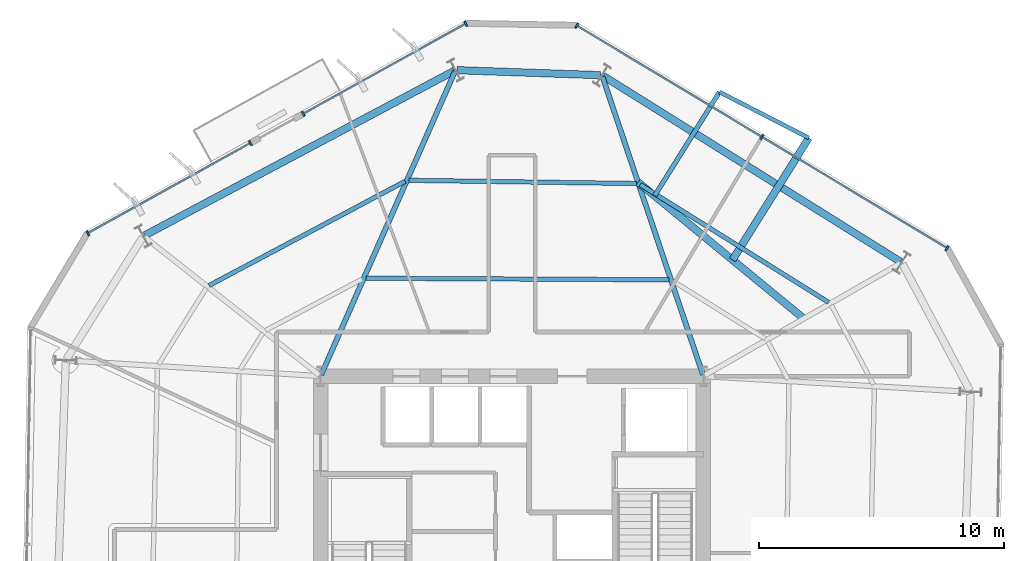
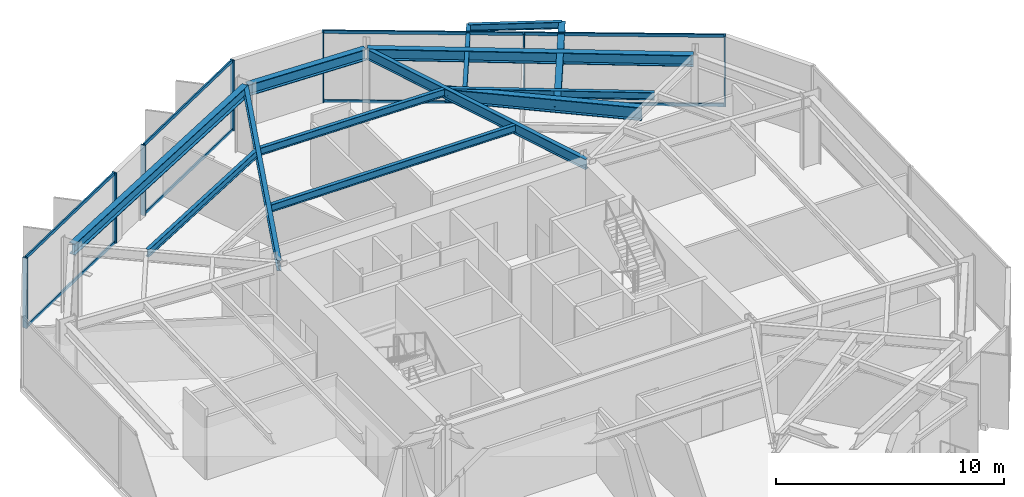
# One storey, part 5 of 11: 15 members, 13 beams, 3 elements without a shape of their own.
"""IFC4 building model written with IfcOpenShell, lengths in metres."""

from ifc_helpers import new_model, si_unit, direction, frame, origin, origin_2d, place, context, subcontext, project, spatial, rectangle, i_section, extrude, material, layer, layer_set, material_profile, profile_set, type_object, element, aggregate, save


model = new_model("IFC4")

# Units and contexts
model_context = context("Model", 3, precision=1e-05, world=origin(), true_north=direction((0.0, 1.0)))
body_context = subcontext(model_context, "Body", "Model", "MODEL_VIEW")
ifc_project = project(units=[si_unit("LENGTHUNIT", "METRE"), si_unit("AREAUNIT", "SQUARE_METRE"), si_unit("VOLUMEUNIT", "CUBIC_METRE"), si_unit("PLANEANGLEUNIT", "RADIAN"), si_unit("MASSUNIT", "GRAM", prefix="KILO")], contexts=[model_context])

# Site, building, storey
site_placement = place(None, origin())
site = spatial("IfcSite", under=ifc_project, at=site_placement, CompositionType="ELEMENT")
building_placement = place(site_placement, origin())
building = spatial("IfcBuilding", under=site, at=building_placement, Name="Kranzbogen Civic Tower", CompositionType="ELEMENT")
storey_placement = place(building_placement, frame((0.0, 0.0, 138.39990234375)))
storey = spatial("IfcBuildingStorey", under=building, at=storey_placement, Name="L33", CompositionType="ELEMENT", Elevation=138.39990234375)

# Beam
ifc_material_1 = material(Name="Steel S355", Category="steel")
ifc_material_profile_1 = material_profile(ifc_material_1, i_section(OverallWidth=0.18994140625, OverallDepth=0.449951171875, WebThickness=0.009521484375, FlangeThickness=0.0146484375, at=origin_2d()), Name="IPE 450")
ifc_profile_set_1 = profile_set([ifc_material_profile_1], Name="Steel S355")
beam_type_1 = type_object("IfcBeamType", Name="Braced Terrace Edge Beam IPE 450", PredefinedType="BEAM", material=ifc_profile_set_1)
beam_1_placement = place(storey_placement, frame((30.81201171875, 39.549072265625, 3.525146484375), z_axis=(0.529902142132, 0.848058794992, 0.0), x_axis=(-0.848058794992, 0.529902142132, 0.0)))
element("IfcBeam", 1, at=beam_1_placement, inside=storey, type_object=beam_type_1, Name="L34 back-spanned terrace beam L34-TB2-2", PredefinedType="BEAM", context=body_context, shape_type="SweptSolid", body=[
    extrude(i_section(OverallWidth=0.18994140625, OverallDepth=0.449951171875, WebThickness=0.009521484375, FlangeThickness=0.0146484375, at=origin_2d()), origin(), (0.0, 0.0, 1.0), 4.98779296875),
])

# Curtain wall, members
ifc_material_2 = material(Name="Pale Anodised Aluminium", Category="aluminium")
ifc_layer = layer(ifc_material_2, 0.219970703125, Name="Pale Anodised Aluminium")
ifc_layer_set = layer_set([ifc_layer], Name="Pale Anodised Aluminium")
curtain_wall_type = type_object("IfcCurtainWallType", Name="Zone 2 Stick Curtain Wall System CW-03", PredefinedType="USERDEFINED", material=ifc_layer_set)
curtain_wall_1_placement = place(storey_placement, origin())
curtain_wall_1 = element("IfcCurtainWall", 2, at=curtain_wall_1_placement, inside=storey, type_object=curtain_wall_type, Name="L33 curtain wall CW-L33-F1", ObjectType="STICK CURTAIN WALL", PredefinedType="USERDEFINED")
ifc_material_profile_2 = material_profile(ifc_material_2, rectangle(XDim=0.074951171875, YDim=0.219970703125, at=origin_2d()), Name="ALU-M 75x220")
ifc_profile_set_2 = profile_set([ifc_material_profile_2], Name="Pale Anodised Aluminium")
member_type_1 = type_object("IfcMemberType", Name="Curtain Wall Mullion ALU-M 75x220", PredefinedType="MULLION", material=ifc_profile_set_2)
member_1_placement = place(storey_placement, frame((42.729248046875, 37.413330078125, 0.0), z_axis=(0.0, 0.0, 1.0), x_axis=(-0.857153137828, 0.515061645156, 0.0)))
member_1 = element("IfcMember", 3, at=member_1_placement, type_object=member_type_1, Name="CW-03 mullion 1", PredefinedType="MULLION", context=body_context, shape_type="SweptSolid", body=[
    extrude(rectangle(XDim=0.074951171875, YDim=0.219970703125, at=origin_2d()), origin(), (0.0, 0.0, 1.0), 3.760009765625),
])
member_2_placement = place(storey_placement, frame((35.18310546875, 41.947998046875, 0.0), z_axis=(0.0, 0.0, 1.0), x_axis=(-0.857153137828, 0.515061645156, 0.0)))
member_2 = element("IfcMember", 4, at=member_2_placement, type_object=member_type_1, Name="CW-03 mullion 2", PredefinedType="MULLION", context=body_context, shape_type="SweptSolid", body=[
    extrude(rectangle(XDim=0.074951171875, YDim=0.219970703125, at=origin_2d()), origin(), (0.0, 0.0, 1.0), 3.760009765625),
])
member_3_placement = place(storey_placement, frame((27.63671875, 46.482666015625, 0.0), z_axis=(0.0, 0.0, 1.0), x_axis=(-0.857153137828, 0.515061645156, 0.0)))
member_3 = element("IfcMember", 5, at=member_3_placement, type_object=member_type_1, Name="CW-03 mullion 3", PredefinedType="MULLION", context=body_context, shape_type="SweptSolid", body=[
    extrude(rectangle(XDim=0.074951171875, YDim=0.219970703125, at=origin_2d()), origin(), (0.0, 0.0, 1.0), 3.760009765625),
])

curtain_wall_2_placement = place(storey_placement, origin())
curtain_wall_2 = element("IfcCurtainWall", 6, at=curtain_wall_2_placement, inside=storey, type_object=curtain_wall_type, Name="L33 curtain wall CW-L33-F2-S1", ObjectType="STICK CURTAIN WALL", PredefinedType="USERDEFINED")
member_4_placement = place(storey_placement, frame((23.11474609375, 46.5615234375, 0.0), z_axis=(0.0, 0.0, 1.0), x_axis=(-0.874626457599, -0.484797441894, 0.0)))
member_4 = element("IfcMember", 7, at=member_4_placement, type_object=member_type_1, Name="CW-03 mullion 1", PredefinedType="MULLION", context=body_context, shape_type="SweptSolid", body=[
    extrude(rectangle(XDim=0.074951171875, YDim=0.219970703125, at=origin_2d()), origin(), (0.0, 0.0, 1.0), 3.760009765625),
])
member_5_placement = place(storey_placement, frame((16.490234375, 42.8896484375, 0.0), z_axis=(0.0, 0.0, 1.0), x_axis=(-0.874626457599, -0.484797441894, 0.0)))
member_5 = element("IfcMember", 8, at=member_5_placement, type_object=member_type_1, Name="CW-03 mullion 2", PredefinedType="MULLION", context=body_context, shape_type="SweptSolid", body=[
    extrude(rectangle(XDim=0.074951171875, YDim=0.219970703125, at=origin_2d()), origin(), (0.0, 0.0, 1.0), 3.760009765625),
])

curtain_wall_3_placement = place(storey_placement, origin())
curtain_wall_3 = element("IfcCurtainWall", 9, at=curtain_wall_3_placement, inside=storey, type_object=curtain_wall_type, Name="L33 curtain wall CW-L33-F2-S2", ObjectType="STICK CURTAIN WALL", PredefinedType="USERDEFINED")
member_6_placement = place(storey_placement, frame((14.3388671875, 41.696533203125, 0.0), z_axis=(0.0, 0.0, 1.0), x_axis=(-0.874626457599, -0.484797441894, 0.0)))
member_6 = element("IfcMember", 10, at=member_6_placement, type_object=member_type_1, Name="CW-03 mullion 1", PredefinedType="MULLION", context=body_context, shape_type="SweptSolid", body=[
    extrude(rectangle(XDim=0.074951171875, YDim=0.219970703125, at=origin_2d()), origin(), (0.0, 0.0, 1.0), 3.760009765625),
])
member_7_placement = place(storey_placement, frame((7.71435546875, 38.024658203125, 0.0), z_axis=(0.0, 0.0, 1.0), x_axis=(-0.874626457599, -0.484797441894, 0.0)))
member_7 = element("IfcMember", 11, at=member_7_placement, type_object=member_type_1, Name="CW-03 mullion 2", PredefinedType="MULLION", context=body_context, shape_type="SweptSolid", body=[
    extrude(rectangle(XDim=0.074951171875, YDim=0.219970703125, at=origin_2d()), origin(), (0.0, 0.0, 1.0), 3.760009765625),
])

# Member
ifc_material_profile_3 = material_profile(ifc_material_2, rectangle(XDim=0.074951171875, YDim=0.1650390625, at=origin_2d()), Name="ALU-T 75x165")
ifc_profile_set_3 = profile_set([ifc_material_profile_3], Name="Pale Anodised Aluminium")
member_type_2 = type_object("IfcMemberType", Name="Curtain Wall Transom ALU-T 75x165", PredefinedType="USERDEFINED", material=ifc_profile_set_3)
member_8_placement = place(storey_placement, frame((42.70361328125, 37.428955078125, 0.030029296875), z_axis=(-0.857152756888, 0.515062279107, 0.0), x_axis=(-0.515062279107, -0.857152756888, 0.0)))
member_8 = element("IfcMember", 12, at=member_8_placement, type_object=member_type_2, Name="CW-03 transom 1.1", ObjectType="TRANSOM", PredefinedType="USERDEFINED", context=body_context, shape_type="SweptSolid", body=[
    extrude(rectangle(XDim=0.074951171875, YDim=0.1650390625, at=origin_2d()), origin(), (0.0, 0.0, 1.0), 8.743896484375),
])

member_9_placement = place(storey_placement, frame((42.70361328125, 37.428955078125, 3.72998046875), z_axis=(-0.857152756888, 0.515062279107, 0.0), x_axis=(-0.515062279107, -0.857152756888, 0.0)))
member_9 = element("IfcMember", 13, at=member_9_placement, type_object=member_type_2, Name="CW-03 transom 1.2", ObjectType="TRANSOM", PredefinedType="USERDEFINED", context=body_context, shape_type="SweptSolid", body=[
    extrude(rectangle(XDim=0.074951171875, YDim=0.1650390625, at=origin_2d()), origin(), (0.0, 0.0, 1.0), 8.743896484375),
])

member_10_placement = place(storey_placement, frame((35.1572265625, 41.96337890625, 0.030029296875), z_axis=(-0.857152756888, 0.515062279107, 0.0), x_axis=(-0.515062279107, -0.857152756888, 0.0)))
member_10 = element("IfcMember", 14, at=member_10_placement, type_object=member_type_2, Name="CW-03 transom 2.1", ObjectType="TRANSOM", PredefinedType="USERDEFINED", context=body_context, shape_type="SweptSolid", body=[
    extrude(rectangle(XDim=0.074951171875, YDim=0.1650390625, at=origin_2d()), origin(), (0.0, 0.0, 1.0), 8.743896484375),
])

member_11_placement = place(storey_placement, frame((35.1572265625, 41.96337890625, 3.72998046875), z_axis=(-0.857152756888, 0.515062279107, 0.0), x_axis=(-0.515062279107, -0.857152756888, 0.0)))
member_11 = element("IfcMember", 15, at=member_11_placement, type_object=member_type_2, Name="CW-03 transom 2.2", ObjectType="TRANSOM", PredefinedType="USERDEFINED", context=body_context, shape_type="SweptSolid", body=[
    extrude(rectangle(XDim=0.074951171875, YDim=0.1650390625, at=origin_2d()), origin(), (0.0, 0.0, 1.0), 8.743896484375),
])

aggregate(curtain_wall_1, [member_1, member_2, member_3, member_8, member_9, member_10, member_11])

member_12_placement = place(storey_placement, frame((23.088623046875, 46.546875, 0.030029296875), z_axis=(-0.874633478756, -0.484784774759, 0.0), x_axis=(0.484784774759, -0.874633478756, 0.0)))
member_12 = element("IfcMember", 16, at=member_12_placement, type_object=member_type_2, Name="CW-03 transom 1.1", ObjectType="TRANSOM", PredefinedType="USERDEFINED", context=body_context, shape_type="SweptSolid", body=[
    extrude(rectangle(XDim=0.074951171875, YDim=0.1650390625, at=origin_2d()), origin(), (0.0, 0.0, 1.0), 7.514404296875),
])

member_13_placement = place(storey_placement, frame((23.088623046875, 46.546875, 3.72998046875), z_axis=(-0.874633478756, -0.484784774759, 0.0), x_axis=(0.484784774759, -0.874633478756, 0.0)))
member_13 = element("IfcMember", 17, at=member_13_placement, type_object=member_type_2, Name="CW-03 transom 1.2", ObjectType="TRANSOM", PredefinedType="USERDEFINED", context=body_context, shape_type="SweptSolid", body=[
    extrude(rectangle(XDim=0.074951171875, YDim=0.1650390625, at=origin_2d()), origin(), (0.0, 0.0, 1.0), 7.514404296875),
])

aggregate(curtain_wall_2, [member_4, member_5, member_12, member_13])

member_14_placement = place(storey_placement, frame((14.3125, 41.681884765625, 0.030029296875), z_axis=(-0.874625842729, -0.484798551185, 0.0), x_axis=(0.484798551185, -0.874625842729, 0.0)))
member_14 = element("IfcMember", 18, at=member_14_placement, type_object=member_type_2, Name="CW-03 transom 1.1", ObjectType="TRANSOM", PredefinedType="USERDEFINED", context=body_context, shape_type="SweptSolid", body=[
    extrude(rectangle(XDim=0.074951171875, YDim=0.1650390625, at=origin_2d()), origin(), (0.0, 0.0, 1.0), 7.51416015625),
])

member_15_placement = place(storey_placement, frame((14.3125, 41.681884765625, 3.72998046875), z_axis=(-0.874625842729, -0.484798551185, 0.0), x_axis=(0.484798551185, -0.874625842729, 0.0)))
member_15 = element("IfcMember", 19, at=member_15_placement, type_object=member_type_2, Name="CW-03 transom 1.2", ObjectType="TRANSOM", PredefinedType="USERDEFINED", context=body_context, shape_type="SweptSolid", body=[
    extrude(rectangle(XDim=0.074951171875, YDim=0.1650390625, at=origin_2d()), origin(), (0.0, 0.0, 1.0), 7.51416015625),
])

aggregate(curtain_wall_3, [member_6, member_7, member_14, member_15])

# Beams
ifc_material_profile_4 = material_profile(ifc_material_1, i_section(OverallWidth=0.300048828125, OverallDepth=0.5, WebThickness=0.014404296875, FlangeThickness=0.028076171875, at=origin_2d()), Name="HEB 500")
ifc_profile_set_4 = profile_set([ifc_material_profile_4], Name="Steel S355")
beam_type_2 = type_object("IfcBeamType", Name="Perimeter Tube Spandrel Beam HEB 500", PredefinedType="SPANDREL", material=ifc_profile_set_4)
beam_2_placement = place(storey_placement, frame((33.988037109375, 36.93603515625, 3.5), z_axis=(0.529980228691, 0.848009998288, 0.0), x_axis=(-0.848009998288, 0.529980228691, 0.0)))
element("IfcBeam", 20, at=beam_2_placement, inside=storey, type_object=beam_type_2, Name="L34 back-spanned terrace beam L34-TB2-1", PredefinedType="SPANDREL", context=body_context, shape_type="SweptSolid", body=[
    extrude(i_section(OverallWidth=0.300048828125, OverallDepth=0.5, WebThickness=0.014404296875, FlangeThickness=0.028076171875, at=origin_2d()), origin(), (0.0, 0.0, 1.0), 5.8642578125),
])
ifc_material_profile_5 = material_profile(ifc_material_1, i_section(OverallWidth=0.300048828125, OverallDepth=0.60009765625, WebThickness=0.015380859375, FlangeThickness=0.030029296875, at=origin_2d()), Name="HEB 600")
ifc_profile_set_5 = profile_set([ifc_material_profile_5], Name="Steel S355")
beam_type_3 = type_object("IfcBeamType", Name="Perimeter Tube Spandrel Beam HEB 600", PredefinedType="SPANDREL", material=ifc_profile_set_5)
beam_3_placement = place(storey_placement, frame((40.8349609375, 36.861083984375, 3.460205078125), z_axis=(-0.848051101349, 0.52991445489, 0.0), x_axis=(-0.52991445489, -0.848051101349, 0.0)))
element("IfcBeam", 21, at=beam_3_placement, inside=storey, type_object=beam_type_3, Name="L33 perimeter spandrel beam 08", PredefinedType="SPANDREL", context=body_context, shape_type="SweptSolid", body=[
    extrude(i_section(OverallWidth=0.300048828125, OverallDepth=0.60009765625, WebThickness=0.015380859375, FlangeThickness=0.030029296875, at=origin_2d()), origin(), (0.0, 0.0, 1.0), 14.286865234375),
])
beam_4_placement = place(storey_placement, frame((28.60791015625, 44.466064453125, 3.460205078125), z_axis=(-0.999393148233, 0.03483296234, 0.0), x_axis=(-0.03483296234, -0.999393148233, 0.0)))
element("IfcBeam", 22, at=beam_4_placement, inside=storey, type_object=beam_type_3, Name="L33 perimeter spandrel beam 09", PredefinedType="SPANDREL", context=body_context, shape_type="SweptSolid", body=[
    extrude(i_section(OverallWidth=0.300048828125, OverallDepth=0.60009765625, WebThickness=0.015380859375, FlangeThickness=0.030029296875, at=origin_2d()), origin(), (0.0, 0.0, 1.0), 5.8525390625),
])
beam_5_placement = place(storey_placement, frame((22.64599609375, 44.64404296875, 3.460205078125), z_axis=(-0.882948194046, -0.469470432116, 0.0), x_axis=(0.469470432116, -0.882948194046, 0.0)))
element("IfcBeam", 23, at=beam_5_placement, inside=storey, type_object=beam_type_3, Name="L33 perimeter spandrel beam 10", PredefinedType="SPANDREL", context=body_context, shape_type="SweptSolid", body=[
    extrude(i_section(OverallWidth=0.300048828125, OverallDepth=0.60009765625, WebThickness=0.015380859375, FlangeThickness=0.030029296875, at=origin_2d()), origin(), (0.0, 0.0, 1.0), 14.28857421875),
])
ifc_material_profile_6 = material_profile(ifc_material_1, i_section(OverallWidth=0.300048828125, OverallDepth=0.699951171875, WebThickness=0.01708984375, FlangeThickness=0.031982421875, at=origin_2d()), Name="HEB 700")
ifc_profile_set_6 = profile_set([ifc_material_profile_6], Name="Steel S355")
beam_type_4 = type_object("IfcBeamType", Name="Perimeter Tube Spandrel Beam HEB 700", PredefinedType="SPANDREL", material=ifc_profile_set_6)
beam_6_placement = place(storey_placement, frame((36.89404296875, 34.5439453125, 3.400146484375), z_axis=(-0.772133132713, 0.635460797663, 0.0), x_axis=(-0.635460797663, -0.772133132713, 0.0)))
element("IfcBeam", 24, at=beam_6_placement, inside=storey, type_object=beam_type_4, Name="L34 balcony back-span header girder L34-TB2", PredefinedType="SPANDREL", context=body_context, shape_type="SweptSolid", body=[
    extrude(i_section(OverallWidth=0.300048828125, OverallDepth=0.699951171875, WebThickness=0.01708984375, FlangeThickness=0.031982421875, at=origin_2d()), origin(), (0.0, 0.0, 1.0), 8.751220703125),
])
ifc_material_profile_7 = material_profile(ifc_material_1, i_section(OverallWidth=0.2099609375, OverallDepth=0.550048828125, WebThickness=0.010986328125, FlangeThickness=0.01708984375, at=origin_2d()), Name="IPE 550")
ifc_profile_set_7 = profile_set([ifc_material_profile_7], Name="Steel S355")
beam_type_5 = type_object("IfcBeamType", Name="Radial Tower Floor Girder IPE 550", PredefinedType="BEAM", material=ifc_profile_set_7)
beam_7_placement = place(storey_placement, frame((28.68701171875, 44.406982421875, 3.485107421875), z_axis=(0.319316617377, -0.947648087566, 0.0), x_axis=(0.947648087566, 0.319316617377, 0.0)))
element("IfcBeam", 25, at=beam_7_placement, inside=storey, type_object=beam_type_5, Name="L33 radial floor girder 09", PredefinedType="BEAM", context=body_context, shape_type="SweptSolid", body=[
    extrude(i_section(OverallWidth=0.2099609375, OverallDepth=0.550048828125, WebThickness=0.010986328125, FlangeThickness=0.01708984375, at=origin_2d()), origin(), (0.0, 0.0, 1.0), 12.821044921875),
])
beam_8_placement = place(storey_placement, frame((22.675048828125, 44.616943359375, 3.485107421875), z_axis=(-0.403459127705, -0.914997667905, 0.0), x_axis=(0.914997667905, -0.403459127705, 0.0)))
element("IfcBeam", 26, at=beam_8_placement, inside=storey, type_object=beam_type_5, Name="L33 radial floor girder 10", PredefinedType="BEAM", context=body_context, shape_type="SweptSolid", body=[
    extrude(i_section(OverallWidth=0.2099609375, OverallDepth=0.550048828125, WebThickness=0.010986328125, FlangeThickness=0.01708984375, at=origin_2d()), origin(), (0.0, 0.0, 1.0), 13.510498046875),
])
ifc_material_profile_8 = material_profile(ifc_material_1, i_section(OverallWidth=0.169921875, OverallDepth=0.360107421875, WebThickness=0.008056640625, FlangeThickness=0.0126953125, at=origin_2d()), Name="IPE 360")
ifc_profile_set_8 = profile_set([ifc_material_profile_8], Name="Steel S355")
beam_type_6 = type_object("IfcBeamType", Name="Secondary Composite Floor Joist IPE 360", PredefinedType="JOIST", material=ifc_profile_set_8)
beam_9_placement = place(storey_placement, frame((37.095947265625, 41.908935546875, 3.570068359375), z_axis=(-0.889519192048, 0.456897808026, 0.0), x_axis=(-0.456897808026, -0.889519192048, 0.0)))
element("IfcBeam", 27, at=beam_9_placement, inside=storey, type_object=beam_type_6, Name="L34 terrace outer edge trimmer L34-TB2", PredefinedType="JOIST", context=body_context, shape_type="SweptSolid", body=[
    extrude(i_section(OverallWidth=0.169921875, OverallDepth=0.360107421875, WebThickness=0.008056640625, FlangeThickness=0.0126953125, at=origin_2d()), origin(), (0.0, 0.0, 1.0), 4.093017578125),
])
ifc_material_profile_9 = material_profile(ifc_material_1, i_section(OverallWidth=0.179931640625, OverallDepth=0.39990234375, WebThickness=0.008544921875, FlangeThickness=0.013427734375, at=origin_2d()), Name="IPE 400")
ifc_profile_set_9 = profile_set([ifc_material_profile_9], Name="Steel S355")
beam_type_7 = type_object("IfcBeamType", Name="Secondary Composite Floor Joist IPE 400", PredefinedType="JOIST", material=ifc_profile_set_9)
beam_10_placement = place(storey_placement, frame((37.906982421875, 35.205078125, 3.56005859375), z_axis=(-0.848025549308, 0.529955345026, 0.0), x_axis=(-0.529955345026, -0.848025549308, 0.0)))
element("IfcBeam", 28, at=beam_10_placement, inside=storey, type_object=beam_type_7, Name="L33 secondary floor joist 1.08", PredefinedType="JOIST", context=body_context, shape_type="SweptSolid", body=[
    extrude(i_section(OverallWidth=0.179931640625, OverallDepth=0.39990234375, WebThickness=0.008544921875, FlangeThickness=0.013427734375, at=origin_2d()), origin(), (0.0, 0.0, 1.0), 9.06103515625),
])
beam_11_placement = place(storey_placement, frame((30.075927734375, 40.050048828125, 3.56005859375), z_axis=(-0.999900525148, 0.014104602386, 0.0), x_axis=(-0.014104602386, -0.999900525148, 0.0)))
element("IfcBeam", 29, at=beam_11_placement, inside=storey, type_object=beam_type_7, Name="L33 secondary floor joist 1.09", PredefinedType="JOIST", context=body_context, shape_type="SweptSolid", body=[
    extrude(i_section(OverallWidth=0.179931640625, OverallDepth=0.39990234375, WebThickness=0.008544921875, FlangeThickness=0.013427734375, at=origin_2d()), origin(), (0.0, 0.0, 1.0), 9.27783203125),
])
beam_12_placement = place(storey_placement, frame((31.39794921875, 36.125, 3.56005859375), z_axis=(-0.999985774147, 0.005333995002, 0.0), x_axis=(-0.005333995002, -0.999985774147, 0.0)))
element("IfcBeam", 30, at=beam_12_placement, inside=storey, type_object=beam_type_7, Name="L33 secondary floor joist 2.09", PredefinedType="JOIST", context=body_context, shape_type="SweptSolid", body=[
    extrude(i_section(OverallWidth=0.179931640625, OverallDepth=0.39990234375, WebThickness=0.008544921875, FlangeThickness=0.013427734375, at=origin_2d()), origin(), (0.0, 0.0, 1.0), 12.358154296875),
])
beam_13_placement = place(storey_placement, frame((20.64892578125, 40.14501953125, 3.56005859375), z_axis=(-0.882960787661, -0.469446746131, 0.0), x_axis=(0.469446746131, -0.882960787661, 0.0)))
element("IfcBeam", 31, at=beam_13_placement, inside=storey, type_object=beam_type_7, Name="L33 secondary floor joist 1.10", PredefinedType="JOIST", context=body_context, shape_type="SweptSolid", body=[
    extrude(i_section(OverallWidth=0.179931640625, OverallDepth=0.39990234375, WebThickness=0.008544921875, FlangeThickness=0.013427734375, at=origin_2d()), origin(), (0.0, 0.0, 1.0), 9.0615234375),
])

save(model, "model.ifc")
